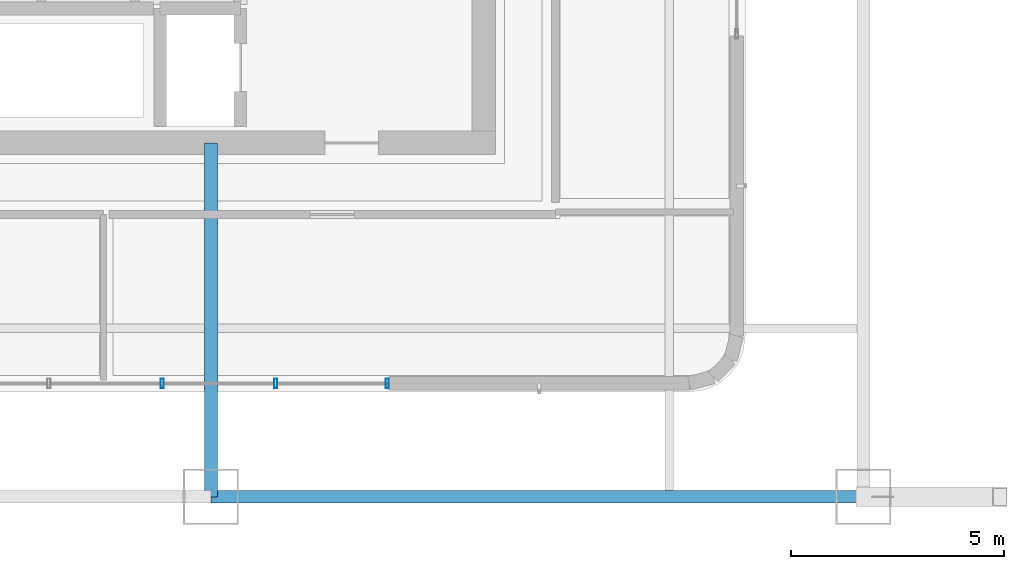
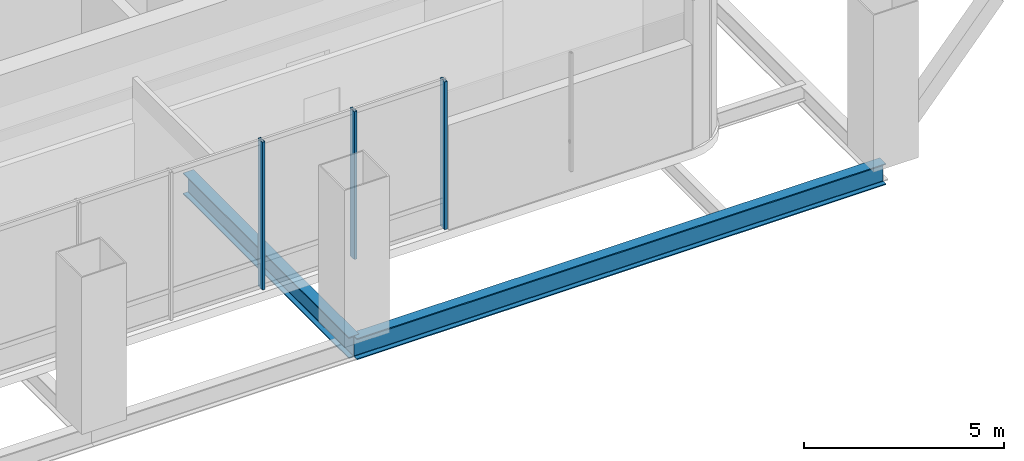
# One storey, part 6 of 33: 3 members, 2 beams, 1 element without a shape of its own.
"""IFC4 building model written with IfcOpenShell, lengths in metres."""

from ifc_helpers import new_model, si_unit, direction, frame, origin, origin_2d, place, context, subcontext, project, spatial, hollow_rectangle, i_section, extrude, material, material_profile, profile_set, type_object, element, aggregate, save


model = new_model("IFC4")

# Units and contexts
model_context = context("Model", 3, precision=1e-05, world=origin(), true_north=direction((0.0, 1.0)))
body_context = subcontext(model_context, "Body", "Model", "MODEL_VIEW")
ifc_project = project(units=[si_unit("LENGTHUNIT", "METRE"), si_unit("AREAUNIT", "SQUARE_METRE"), si_unit("VOLUMEUNIT", "CUBIC_METRE"), si_unit("PLANEANGLEUNIT", "RADIAN"), si_unit("MASSUNIT", "GRAM", prefix="KILO")], contexts=[model_context])

# Site, building, storey
site_placement = place(None, origin())
site = spatial("IfcSite", under=ifc_project, at=site_placement, CompositionType="ELEMENT")
building_placement = place(site_placement, origin())
building = spatial("IfcBuilding", under=site, at=building_placement, Name="Punatoya Terracotta Tower", CompositionType="ELEMENT")
storey_placement = place(building_placement, frame((0.0, 0.0, 246.60009765625)))
storey = spatial("IfcBuildingStorey", under=building, at=storey_placement, Name="L58", CompositionType="ELEMENT", Elevation=246.60009765625)

# Beams
ifc_material_1 = material(Name="Steel S355", Category="steel")
ifc_material_profile_1 = material_profile(ifc_material_1, i_section(OverallWidth=0.300048828125, OverallDepth=0.64990234375, WebThickness=0.01611328125, FlangeThickness=0.031005859375, FilletRadius=0.01806640625, at=origin_2d()))
ifc_profile_set_1 = profile_set([ifc_material_profile_1], Name="Steel S355")
beam_type = type_object("IfcBeamType", Name="BM-PRI-650", PredefinedType="BEAM", material=ifc_profile_set_1)
beam_1_placement = place(storey_placement, frame((3.800048828125, -17.5, -0.585205078125), z_axis=(1.0, 0.0, 0.0), x_axis=(0.0, 1.0, 0.0)))
element("IfcBeam", 1, at=beam_1_placement, inside=storey, type_object=beam_type, Name="BM-L58-RG-S3", PredefinedType="BEAM", context=body_context, shape_type="SweptSolid", body=[
    extrude(i_section(OverallWidth=0.300048828125, OverallDepth=0.64990234375, WebThickness=0.01611328125, FlangeThickness=0.031005859375, FilletRadius=0.01806640625, at=origin_2d()), origin(), (0.0, 0.0, 1.0), 15.300048828125),
])
beam_2_placement = place(storey_placement, frame((3.800048828125, -17.5, -0.585205078125), z_axis=(0.0, 1.0, 0.0), x_axis=(-1.0, 0.0, 0.0)))
element("IfcBeam", 2, at=beam_2_placement, inside=storey, type_object=beam_type, Name="BM-L58-PR-S3", PredefinedType="BEAM", context=body_context, shape_type="SweptSolid", body=[
    extrude(i_section(OverallWidth=0.300048828125, OverallDepth=0.64990234375, WebThickness=0.01611328125, FlangeThickness=0.031005859375, FilletRadius=0.01806640625, at=origin_2d()), origin(), (0.0, 0.0, 1.0), 8.300048828125),
])

# Curtain wall, members
ifc_material_2 = material(Name="Aluminium 6063-T6 + Double Low-E Glass", Category="aluminium")
curtain_wall_type = type_object("IfcCurtainWallType", Name="CW-NCK", PredefinedType="NOTDEFINED", material=ifc_material_2)
curtain_wall_placement = place(storey_placement, origin())
curtain_wall = element("IfcCurtainWall", 3, at=curtain_wall_placement, inside=storey, type_object=curtain_wall_type, Name="L58 Curtain Wall CW-L58-S01-1", PredefinedType="NOTDEFINED")
ifc_material_3 = material(Name="Aluminium 6063-T6", Category="aluminium")
ifc_material_profile_2 = material_profile(ifc_material_3, hollow_rectangle(XDim=0.080078125, YDim=0.22509765625, WallThickness=0.0048828125, at=origin_2d()))
ifc_profile_set_2 = profile_set([ifc_material_profile_2], Name="Aluminium 6063-T6")
member_type = type_object("IfcMemberType", Name="CW-MUL-NCK", PredefinedType="MULLION", material=ifc_profile_set_2)
member_1_placement = place(storey_placement, frame((2.659912109375, -14.840087890625, 0.0), z_axis=(0.0, 0.0, 1.0), x_axis=(1.0, 0.0, 0.0)))
member_1 = element("IfcMember", 4, at=member_1_placement, type_object=member_type, Name="CW-L58-S01-1 Mullion 04", PredefinedType="MULLION", context=body_context, shape_type="SweptSolid", body=[
    extrude(hollow_rectangle(XDim=0.080078125, YDim=0.22509765625, WallThickness=0.0048828125, at=origin_2d()), origin(), (0.0, 0.0, 1.0), 4.52001953125),
])
member_2_placement = place(storey_placement, frame((5.320068359375, -14.840087890625, 0.0), z_axis=(0.0, 0.0, 1.0), x_axis=(1.0, 0.0, 0.0)))
member_2 = element("IfcMember", 5, at=member_2_placement, type_object=member_type, Name="CW-L58-S01-1 Mullion 05", PredefinedType="MULLION", context=body_context, shape_type="SweptSolid", body=[
    extrude(hollow_rectangle(XDim=0.080078125, YDim=0.22509765625, WallThickness=0.0048828125, at=origin_2d()), origin(), (0.0, 0.0, 1.0), 4.52001953125),
])
member_3_placement = place(storey_placement, frame((7.93505859375, -14.840087890625, 0.0), z_axis=(0.0, 0.0, 1.0), x_axis=(1.0, 0.0, 0.0)))
member_3 = element("IfcMember", 6, at=member_3_placement, type_object=member_type, Name="CW-L58-S01-1 Mullion 06", PredefinedType="MULLION", context=body_context, shape_type="SweptSolid", body=[
    extrude(hollow_rectangle(XDim=0.080078125, YDim=0.22509765625, WallThickness=0.0048828125, at=origin_2d()), origin(), (0.0, 0.0, 1.0), 4.52001953125),
])
aggregate(curtain_wall, [member_1, member_2, member_3])

save(model, "model.ifc")
